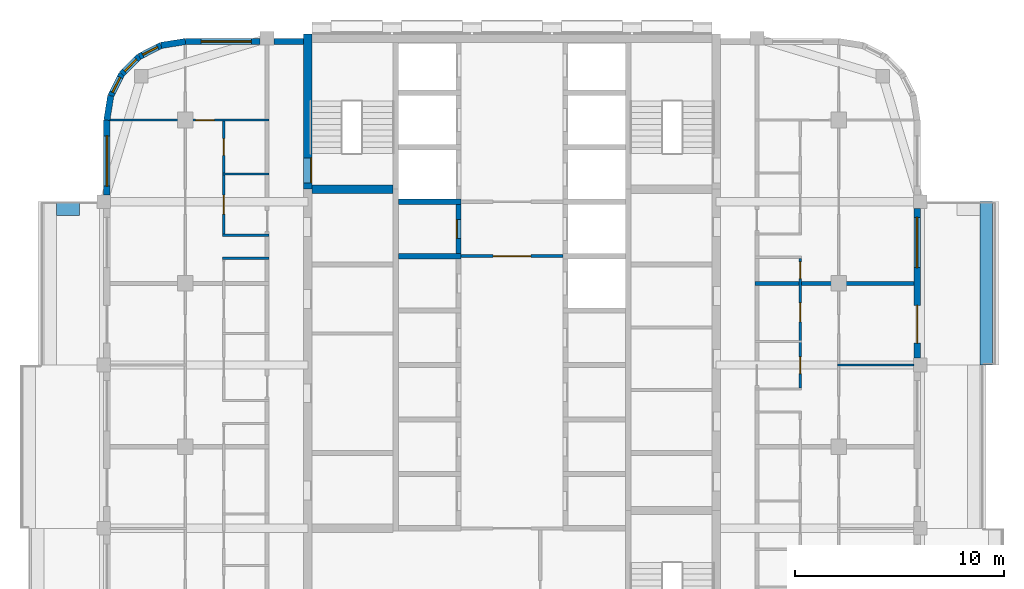
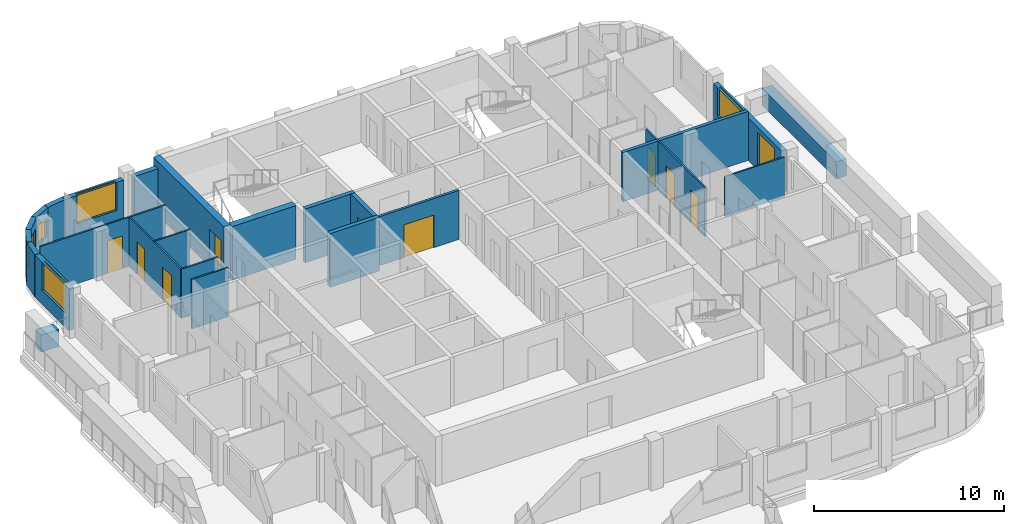
# One storey, part 7 of 13: 25 walls, 10 doors, 6 windows, 16 openings.
"""IFC4 building model written with IfcOpenShell, lengths in metres."""

import ifcopenshell
import ifcopenshell.guid

model = None  # the IFC model being written
_history = None  # IfcOwnerHistory: only IFC2X3 demands one
_inside = {}  # id of a spatial element -> (the spatial element, [elements in it])
_under = {}  # id of a project, library or spatial element -> (it, [spatial elements below it])
_declared = {}  # id of a project -> (the project, [libraries it declares])
_typed = {}  # id of a type object -> (the type object, [elements of that type])
_made_of = {}  # id of a material, layer set ... -> (it, [elements and type objects made of it])


def new_model(schema):
    """Start an empty IFC model of exactly this schema.

    Asked for "IFC4X3", IfcOpenShell would pick the latest addendum, in which some entities
    have other attributes; the version numbers below select the first issue.
    IFC2X3 requires an IfcOwnerHistory on every rooted entity: one is made here for all.
    """
    global model, _history
    if schema == "IFC4X3":
        model = ifcopenshell.file(schema_version=(4, 3, 0, 0))
    else:
        model = ifcopenshell.file(schema=schema)
    _inside.clear()
    _under.clear()
    _declared.clear()
    _typed.clear()
    _made_of.clear()
    _history = None
    if model.schema == "IFC2X3":
        org = make("IfcOrganization", Name="unknown")
        user = make(
            "IfcPersonAndOrganization",
            ThePerson=make("IfcPerson", FamilyName="unknown"),
            TheOrganization=org,
        )
        app = make(
            "IfcApplication",
            ApplicationDeveloper=org,
            Version="unknown",
            ApplicationFullName="unknown",
            ApplicationIdentifier="unknown",
        )
        _history = make(
            "IfcOwnerHistory",
            OwningUser=user,
            OwningApplication=app,
            ChangeAction="ADDED",
            CreationDate=0,
        )
    return model


def make(cls, **values):
    """One entity of the class cls with the attributes given. An attribute that is None is left unset."""
    return model.create_entity(
        cls, **{name: value for name, value in values.items() if value is not None}
    )


def rooted(cls, **values):
    """An entity with a GlobalId (a new one), such as an element, a storey or a relation."""
    return make(cls, GlobalId=ifcopenshell.guid.new(), OwnerHistory=_history, **values)


def si_unit(unit_type, name, prefix=None):
    """IfcSIUnit, for example si_unit("LENGTHUNIT", "METRE", prefix="MILLI")."""
    return make("IfcSIUnit", UnitType=unit_type, Prefix=prefix, Name=name)


def assignment(units):
    """IfcUnitAssignment: the units of a project."""
    return None if units is None else make("IfcUnitAssignment", Units=units)


def point(xyz):
    """IfcCartesianPoint."""
    return None if xyz is None else make("IfcCartesianPoint", Coordinates=xyz)


def direction(xyz):
    """IfcDirection."""
    return None if xyz is None else make("IfcDirection", DirectionRatios=xyz)


def frame(location, z_axis=None, x_axis=None):
    """IfcAxis2Placement3D, a coordinate frame: its origin and axes. An axis left out is left unset."""
    return make(
        "IfcAxis2Placement3D",
        Location=point(location),
        Axis=direction(z_axis),
        RefDirection=direction(x_axis),
    )


def frame_2d(location, x_axis=None):
    """IfcAxis2Placement2D, a coordinate frame in the plane: its origin and x axis."""
    return make(
        "IfcAxis2Placement2D", Location=point(location), RefDirection=direction(x_axis)
    )


def origin():
    """The frame at (0, 0, 0) with its axes left unset."""
    return frame((0.0, 0.0, 0.0))


def place(relative_to, where):
    """IfcLocalPlacement: puts the frame where relative to a parent placement (None: the world)."""
    return make(
        "IfcLocalPlacement", PlacementRelTo=relative_to, RelativePlacement=where
    )


def context(
    kind, dimensions, precision=None, world=None, true_north=None, identifier=None
):
    """IfcGeometricRepresentationContext, for example the 3D "Model" context."""
    return make(
        "IfcGeometricRepresentationContext",
        ContextIdentifier=identifier,
        ContextType=kind,
        CoordinateSpaceDimension=dimensions,
        Precision=precision,
        WorldCoordinateSystem=world,
        TrueNorth=true_north,
    )


def subcontext(parent, identifier, kind, view, scale=None):
    """IfcGeometricRepresentationSubContext, for example "Body" below "Model"."""
    return make(
        "IfcGeometricRepresentationSubContext",
        ContextIdentifier=identifier,
        ContextType=kind,
        ParentContext=parent,
        TargetScale=scale,
        TargetView=view,
    )


def project(units=None, contexts=None):
    """IfcProject with its units and contexts."""
    return rooted(
        "IfcProject",
        Name="project",
        RepresentationContexts=contexts,
        UnitsInContext=assignment(units),
    )


def spatial(cls, under=None, at=None, **own):
    """A site, building, storey or space (cls), placed at a placement, below another one or the project."""
    s = rooted(cls, ObjectPlacement=at, **own)
    if under is not None:
        _under.setdefault(under.id(), (under, []))[1].append(s)
    return s


def profile(cls, at=None, kind="AREA", **sizes):
    """A parametric profile (cls). Its sizes go by their IFC names, for example OverallWidth=200.0."""
    return make(cls, ProfileType=kind, Position=at, **sizes)


def rectangle(**sizes):
    """IfcRectangleProfileDef."""
    return profile("IfcRectangleProfileDef", **sizes)


def extrude(swept, where, along, depth):
    """IfcExtrudedAreaSolid: the profile swept, set in the frame where, extruded along a direction by depth."""
    return make(
        "IfcExtrudedAreaSolid",
        SweptArea=swept,
        Position=where,
        ExtrudedDirection=direction(along),
        Depth=depth,
    )


def shape(context_of_items, identifier, shape_type, items):
    """IfcShapeRepresentation: the items that make up one representation, for example the "Body"."""
    return make(
        "IfcShapeRepresentation",
        ContextOfItems=context_of_items,
        RepresentationIdentifier=identifier,
        RepresentationType=shape_type,
        Items=items,
    )


def material(Name=None, Category=None):
    """IfcMaterial."""
    return make("IfcMaterial", Name=Name, Category=Category)


def layer(
    of_material, thickness, ventilated=None, Name=None, Category=None, Priority=None
):
    """IfcMaterialLayer: one layer of a wall or slab, of a material (None: an air gap)."""
    return make(
        "IfcMaterialLayer",
        Material=of_material,
        LayerThickness=thickness,
        IsVentilated=ventilated,
        Name=Name,
        Category=Category,
        Priority=Priority,
    )


def layer_set(layers, Name=None):
    """IfcMaterialLayerSet."""
    return make("IfcMaterialLayerSet", MaterialLayers=layers, LayerSetName=Name)


def made_of(thing, what):
    """Note that an element or type object is made of a material, layer set ...; save() writes the relation."""
    if what is not None:
        _made_of.setdefault(what.id(), (what, []))[1].append(thing)
    return thing


def type_object(cls, material=None, **own):
    """A type object (cls), such as IfcWallType, which elements share."""
    return made_of(rooted(cls, **own), material)


def element(
    cls,
    number,
    at=None,
    inside=None,
    cuts=None,
    type_object=None,
    material=None,
    context=None,
    identifier="Body",
    shape_type=None,
    held_by="IfcProductDefinitionShape",
    body=None,
    shapes=None,
    **own,
):
    """One element of the class cls, such as IfcWall. Its Tag is "e" and its number.

    at: its placement. inside: the storey or other place that contains it. cuts: it is an
    opening in that element (IfcRelVoidsElement). A single representation is given by context,
    identifier, shape_type and body (its items); several are given by shapes. held_by: the class
    of the entity that holds the representations. save() writes the other relations.
    """
    e = rooted(cls, Tag="e%d" % number, ObjectPlacement=at, **own)
    if body is not None:
        shapes = [shape(context, identifier, shape_type, body)]
    if shapes is not None:
        e.Representation = make(held_by, Representations=shapes)
    if inside is not None:
        _inside.setdefault(inside.id(), (inside, []))[1].append(e)
    if cuts is not None:
        rooted(
            "IfcRelVoidsElement", RelatingBuildingElement=cuts, RelatedOpeningElement=e
        )
    if type_object is not None:
        _typed.setdefault(type_object.id(), (type_object, []))[1].append(e)
    return made_of(e, material)


def fill(opening, filler):
    """IfcRelFillsElement: the door or window that sits in an opening."""
    return rooted(
        "IfcRelFillsElement",
        RelatingOpeningElement=opening,
        RelatedBuildingElement=filler,
    )


def aggregate(whole, parts):
    """IfcRelAggregates: a whole, such as a stair, and the parts it consists of."""
    return rooted("IfcRelAggregates", RelatingObject=whole, RelatedObjects=parts)


def save(model, path):
    """Write the relations noted so far, then the file.

    IfcRelAggregates (storeys below a building ...), IfcRelContainedInSpatialStructure (elements
    in a storey), IfcRelDefinesByType, IfcRelAssociatesMaterial and IfcRelDeclares: one each for
    every whole, place, type object, material and project.
    """
    for whole, parts in _under.values():
        aggregate(whole, parts)
    for where, things in _inside.values():
        rooted(
            "IfcRelContainedInSpatialStructure",
            RelatedElements=things,
            RelatingStructure=where,
        )
    for kind, things in _typed.values():
        rooted("IfcRelDefinesByType", RelatedObjects=things, RelatingType=kind)
    for what, things in _made_of.values():
        rooted("IfcRelAssociatesMaterial", RelatedObjects=things, RelatingMaterial=what)
    for by, libraries in _declared.values():
        rooted("IfcRelDeclares", RelatingContext=by, RelatedDefinitions=libraries)
    model.write(path)


model = new_model("IFC4")

# Units and contexts
model_context = context("Model", 3, precision=1e-05, world=origin(), true_north=direction((0.0, 1.0)))
body_context = subcontext(model_context, "Body", "Model", "MODEL_VIEW")
ifc_project = project(units=[si_unit("LENGTHUNIT", "METRE"), si_unit("AREAUNIT", "SQUARE_METRE"), si_unit("VOLUMEUNIT", "CUBIC_METRE"), si_unit("PLANEANGLEUNIT", "RADIAN"), si_unit("MASSUNIT", "GRAM", prefix="KILO")], contexts=[model_context])

# Site, building, storey
site_placement = place(None, origin())
site = spatial("IfcSite", under=ifc_project, at=site_placement, CompositionType="ELEMENT")
building_placement = place(site_placement, origin())
building = spatial("IfcBuilding", under=site, at=building_placement, Name="Ludao Terraces", CompositionType="ELEMENT")
storey_placement = place(building_placement, frame((0.0, 0.0, 246.0)))
storey = spatial("IfcBuildingStorey", under=building, at=storey_placement, Name="L67", CompositionType="ELEMENT", Elevation=246.0)

# Wall, opening, door
ifc_material_1 = material(Name="Concrete C50", Category="concrete")
ifc_layer_1 = layer(ifc_material_1, 0.39990234375)
ifc_layer_set_1 = layer_set([ifc_layer_1], Name="Core wall 400 C50")
wall_type_1 = type_object("IfcWallType", Name="Core wall 400 C50", PredefinedType="SOLIDWALL", material=ifc_layer_set_1)
wall_1_placement = place(storey_placement, frame((75.25, 77.300048828125, -0.300048828125), z_axis=(0.0, 0.0, 1.0), x_axis=(0.0, 1.0, 0.0)))
wall_1 = element("IfcWall", 1, at=wall_1_placement, inside=storey, type_object=wall_type_1, Name="Core wall L67 outer-W-S1", PredefinedType="SOLIDWALL", context=body_context, shape_type="SweptSolid", body=[
    extrude(rectangle(XDim=7.39990234375, YDim=0.39990234375, at=frame_2d((3.699951171875, 0.0))), origin(), (0.0, 0.0, 1.0), 3.449951171875),
])
opening_1_placement = place(wall_1_placement, frame((0.300048828125, 0.0, 0.300048828125)))
opening_1 = element("IfcOpeningElement", 2, at=opening_1_placement, cuts=wall_1, Name="Opening R24-077", PredefinedType="OPENING", context=body_context, shape_type="SweptSolid", body=[
    extrude(rectangle(XDim=1.199951171875, YDim=2.10009765625, at=frame_2d((0.60009765625, 1.050048828125))), frame((0.0, 0.2099609375, 0.0), z_axis=(0.0, -1.0, 0.0), x_axis=(1.0, 0.0, 0.0)), (0.0, 0.0, 1.0), 0.419921875),
])
ifc_material_2 = material(Name="Steel Q235", Category="steel")
door_type_1 = type_object("IfcDoorType", Name="INT Stair door 1200", OperationType="DOUBLE_DOOR_SINGLE_SWING", PredefinedType="DOOR", material=ifc_material_2)
door_1_placement = place(opening_1_placement, origin())
door_1 = element("IfcDoor", 3, at=door_1_placement, inside=storey, type_object=door_type_1, Name="DOOR 077", OperationType="DOUBLE_DOOR_SINGLE_SWING", OverallHeight=2.10009765625, OverallWidth=1.199951171875, PredefinedType="DOOR", context=body_context, shape_type="SweptSolid", body=[
    extrude(rectangle(XDim=1.199951171875, YDim=2.10009765625, at=frame_2d((0.60009765625, 1.050048828125))), frame((0.0, -0.134765625, 0.0), z_axis=(0.0, -1.0, 0.0), x_axis=(1.0, 0.0, 0.0)), (0.0, 0.0, 1.0), 0.050048828125),
])
fill(opening_1, door_1)

# Walls
ifc_material_3 = material(Name="Concrete C40", Category="concrete")
ifc_layer_2 = layer(ifc_material_3, 0.60009765625)
ifc_layer_set_2 = layer_set([ifc_layer_2], Name="ENV Planter trough 600")
wall_type_2 = type_object("IfcWallType", Name="ENV Planter trough 600", PredefinedType="USERDEFINED", material=ifc_layer_set_2)
wall_2_placement = place(storey_placement, frame((107.64990234375, 68.89990234375, 0.0), z_axis=(0.0, 0.0, 1.0), x_axis=(0.0, 1.0, 0.0)))
element("IfcWall", 4, at=wall_2_placement, inside=storey, type_object=wall_type_2, Name="PL-L67-E3", ObjectType="PLANTER", PredefinedType="USERDEFINED", context=body_context, shape_type="SweptSolid", body=[
    extrude(rectangle(XDim=7.800048828125, YDim=0.60009765625, at=frame_2d((3.89990234375, 0.0))), origin(), (0.0, 0.0, 1.0), 1.10009765625),
])
wall_3_placement = place(storey_placement, frame((63.25, 76.35009765625, 0.0), z_axis=(0.0, 0.0, 1.0), x_axis=(1.0, 0.0, 0.0)))
element("IfcWall", 5, at=wall_3_placement, inside=storey, type_object=wall_type_2, Name="PL-L67-W3-SB", ObjectType="PLANTER", PredefinedType="USERDEFINED", context=body_context, shape_type="SweptSolid", body=[
    extrude(rectangle(XDim=1.10009765625, YDim=0.60009765625, at=frame_2d((0.550048828125, 0.0))), origin(), (0.0, 0.0, 1.0), 1.10009765625),
])

# Wall, openings, door, window
ifc_material_4 = material(Name="Granite cladding", Category="masonry")
ifc_layer_3 = layer(ifc_material_4, 0.0400390625, Category="stone")
ifc_material_5 = material(Name="Mineral wool")
ifc_layer_4 = layer(ifc_material_5, 0.06005859375)
ifc_layer_5 = layer(ifc_material_3, 0.199951171875, Category="concrete")
ifc_layer_set_3 = layer_set([ifc_layer_3, ifc_layer_4, ifc_layer_5], Name="ENV Stone-clad wall 300")
wall_type_3 = type_object("IfcWallType", Name="ENV Stone-clad wall 300", PredefinedType="SOLIDWALL", material=ifc_layer_set_3)
wall_4_placement = place(storey_placement, frame((104.35009765625, 69.22509765625, 0.0), z_axis=(0.0, 0.0, 1.0), x_axis=(0.0, 1.0, 0.0)))
wall_4 = element("IfcWall", 6, at=wall_4_placement, inside=storey, type_object=wall_type_3, Name="EW-L67-E4", PredefinedType="SOLIDWALL", context=body_context, shape_type="SweptSolid", body=[
    extrude(rectangle(XDim=7.14990234375, YDim=0.300048828125, at=frame_2d((3.574951171875, 0.0))), origin(), (0.0, 0.0, 1.0), 2.699951171875),
])
opening_2_placement = place(wall_4_placement, frame((0.72509765625, 0.0, 0.0)))
opening_2 = element("IfcOpeningElement", 7, at=opening_2_placement, cuts=wall_4, Name="Opening BD", PredefinedType="OPENING", context=body_context, shape_type="SweptSolid", body=[
    extrude(rectangle(XDim=1.800048828125, YDim=2.39990234375, at=frame_2d((0.89990234375, 1.199951171875))), frame((0.0, 0.16015625, 0.0), z_axis=(0.0, -1.0, 0.0), x_axis=(1.0, 0.0, 0.0)), (0.0, 0.0, 1.0), 0.320068359375),
])
opening_3_placement = place(wall_4_placement, frame((4.324951171875, 0.0, 0.89990234375)))
opening_3 = element("IfcOpeningElement", 8, at=opening_3_placement, cuts=wall_4, Name="Opening W1", PredefinedType="OPENING", context=body_context, shape_type="SweptSolid", body=[
    extrude(rectangle(XDim=2.39990234375, YDim=1.800048828125, at=frame_2d((1.199951171875, 0.89990234375))), frame((0.0, 0.16015625, 0.0), z_axis=(0.0, -1.0, 0.0), x_axis=(1.0, 0.0, 0.0)), (0.0, 0.0, 1.0), 0.320068359375),
])
ifc_material_6 = material(Name="Aluminium glazed door", Category="aluminium")
ifc_layer_6 = layer(ifc_material_6, 0.06005859375)
ifc_layer_set_4 = layer_set([ifc_layer_6], Name="ENV Balcony door BD 1800x2400")
door_type_2 = type_object("IfcDoorType", Name="ENV Balcony door BD 1800x2400", OperationType="DOUBLE_DOOR_SINGLE_SWING", PredefinedType="DOOR", material=ifc_layer_set_4)
door_2_placement = place(opening_2_placement, origin())
door_2 = element("IfcDoor", 9, at=door_2_placement, inside=storey, type_object=door_type_2, Name="BD-L67-E4-1", OperationType="DOUBLE_DOOR_SINGLE_SWING", OverallHeight=2.39990234375, OverallWidth=1.800048828125, PredefinedType="DOOR", context=body_context, shape_type="SweptSolid", body=[
    extrude(rectangle(XDim=1.800048828125, YDim=2.39990234375, at=frame_2d((0.89990234375, 1.199951171875))), frame((0.0, 0.02490234375, 0.0), z_axis=(0.0, -1.0, 0.0), x_axis=(1.0, 0.0, 0.0)), (0.0, 0.0, 1.0), 0.050048828125),
])
fill(opening_2, door_2)
ifc_material_7 = material(Name="Clear glass in aluminium frame", Category="aluminium")
ifc_layer_7 = layer(ifc_material_7, 0.06005859375)
ifc_layer_set_5 = layer_set([ifc_layer_7], Name="ENV Window W1 2400x1800")
window_type_1 = type_object("IfcWindowType", Name="ENV Window W1 2400x1800", PartitioningType="DOUBLE_PANEL_VERTICAL", PredefinedType="WINDOW", material=ifc_layer_set_5)
window_1_placement = place(opening_3_placement, origin())
window_1 = element("IfcWindow", 10, at=window_1_placement, inside=storey, type_object=window_type_1, Name="W-L67-E4-2", OverallHeight=1.800048828125, OverallWidth=2.39990234375, PartitioningType="DOUBLE_PANEL_VERTICAL", PredefinedType="WINDOW", context=body_context, shape_type="SweptSolid", body=[
    extrude(rectangle(XDim=2.39990234375, YDim=1.800048828125, at=frame_2d((1.199951171875, 0.89990234375))), frame((0.0, 0.030029296875, 0.0), z_axis=(0.0, -1.0, 0.0), x_axis=(1.0, 0.0, 0.0)), (0.0, 0.0, 1.0), 0.06005859375),
])
fill(opening_3, window_1)

# Wall, opening, window
wall_5_placement = place(storey_placement, frame((69.39990234375, 84.35009765625, 0.0), z_axis=(0.0, 0.0, 1.0), x_axis=(1.0, 0.0, 0.0)))
wall_5 = element("IfcWall", 11, at=wall_5_placement, inside=storey, type_object=wall_type_3, Name="EW-L67-N1", PredefinedType="SOLIDWALL", context=body_context, shape_type="SweptSolid", body=[
    extrude(rectangle(XDim=3.5751953125, YDim=0.300048828125, at=frame_2d((1.78759765625, 0.0))), origin(), (0.0, 0.0, 1.0), 2.699951171875),
])
opening_4_placement = place(wall_5_placement, frame((0.75, 0.0, 0.89990234375)))
opening_4 = element("IfcOpeningElement", 12, at=opening_4_placement, cuts=wall_5, Name="Opening W1", PredefinedType="OPENING", context=body_context, shape_type="SweptSolid", body=[
    extrude(rectangle(XDim=2.39990234375, YDim=1.800048828125, at=frame_2d((1.199951171875, 0.89990234375))), frame((0.0, 0.16015625, 0.0), z_axis=(0.0, -1.0, 0.0), x_axis=(1.0, 0.0, 0.0)), (0.0, 0.0, 1.0), 0.320068359375),
])
window_2_placement = place(opening_4_placement, origin())
window_2 = element("IfcWindow", 13, at=window_2_placement, inside=storey, type_object=window_type_1, Name="W-L67-N1-1", OverallHeight=1.800048828125, OverallWidth=2.39990234375, PartitioningType="DOUBLE_PANEL_VERTICAL", PredefinedType="WINDOW", context=body_context, shape_type="SweptSolid", body=[
    extrude(rectangle(XDim=2.39990234375, YDim=1.800048828125, at=frame_2d((1.199951171875, 0.89990234375))), frame((0.0, 0.030029296875, 0.0), z_axis=(0.0, -1.0, 0.0), x_axis=(1.0, 0.0, 0.0)), (0.0, 0.0, 1.0), 0.06005859375),
])
fill(opening_4, window_2)

# Wall
wall_6_placement = place(storey_placement, frame((73.625, 84.35009765625, 0.0), z_axis=(0.0, 0.0, 1.0), x_axis=(1.0, 0.0, 0.0)))
element("IfcWall", 14, at=wall_6_placement, inside=storey, type_object=wall_type_3, Name="EW-L67-N2", PredefinedType="SOLIDWALL", context=body_context, shape_type="SweptSolid", body=[
    extrude(rectangle(XDim=1.425048828125, YDim=0.300048828125, at=frame_2d((0.71240234375, 0.0))), origin(), (0.0, 0.0, 1.0), 2.699951171875),
])

# Wall, opening, window
wall_7_placement = place(storey_placement, frame((65.64990234375, 77.02490234375, 0.0), z_axis=(0.0, 0.0, 1.0), x_axis=(0.0, 1.0, 0.0)))
wall_7 = element("IfcWall", 15, at=wall_7_placement, inside=storey, type_object=wall_type_3, Name="EW-L67-W5", PredefinedType="SOLIDWALL", context=body_context, shape_type="SweptSolid", body=[
    extrude(rectangle(XDim=3.5751953125, YDim=0.300048828125, at=frame_2d((1.78759765625, 0.0))), origin(), (0.0, 0.0, 1.0), 2.699951171875),
])
opening_5_placement = place(wall_7_placement, frame((0.425048828125, 0.0, 0.89990234375)))
opening_5 = element("IfcOpeningElement", 16, at=opening_5_placement, cuts=wall_7, Name="Opening W1", PredefinedType="OPENING", context=body_context, shape_type="SweptSolid", body=[
    extrude(rectangle(XDim=2.39990234375, YDim=1.800048828125, at=frame_2d((1.199951171875, 0.89990234375))), frame((0.0, 0.16015625, 0.0), z_axis=(0.0, -1.0, 0.0), x_axis=(1.0, 0.0, 0.0)), (0.0, 0.0, 1.0), 0.320068359375),
])
window_3_placement = place(opening_5_placement, origin())
window_3 = element("IfcWindow", 17, at=window_3_placement, inside=storey, type_object=window_type_1, Name="W-L67-W5-1", OverallHeight=1.800048828125, OverallWidth=2.39990234375, PartitioningType="DOUBLE_PANEL_VERTICAL", PredefinedType="WINDOW", context=body_context, shape_type="SweptSolid", body=[
    extrude(rectangle(XDim=2.39990234375, YDim=1.800048828125, at=frame_2d((1.199951171875, 0.89990234375))), frame((0.0, 0.030029296875, 0.0), z_axis=(0.0, -1.0, 0.0), x_axis=(1.0, 0.0, 0.0)), (0.0, 0.0, 1.0), 0.06005859375),
])
fill(opening_5, window_3)

# Wall
wall_8_placement = place(storey_placement, frame((69.39990234375, 84.35009765625, 0.0), z_axis=(0.0, 0.0, 1.0), x_axis=(-0.987678452879, -0.156496880861, 0.0)))
element("IfcWall", 18, at=wall_8_placement, inside=storey, type_object=wall_type_3, Name="EW-L67-NW1", PredefinedType="SOLIDWALL", context=body_context, shape_type="SweptSolid", body=[
    extrude(rectangle(XDim=1.173095703125, YDim=0.300048828125, at=frame_2d((0.58642578125, 0.0))), origin(), (0.0, 0.0, 1.0), 2.699951171875),
])

# Wall, opening, window
wall_9_placement = place(storey_placement, frame((68.2412109375, 84.16650390625, 0.0), z_axis=(0.0, 0.0, 1.0), x_axis=(-0.890988677504, -0.454025524128, 0.0)))
wall_9 = element("IfcWall", 19, at=wall_9_placement, inside=storey, type_object=wall_type_3, Name="EW-L67-NW2", PredefinedType="SOLIDWALL", context=body_context, shape_type="SweptSolid", body=[
    extrude(rectangle(XDim=1.17333984375, YDim=0.300048828125, at=frame_2d((0.586669921875, 0.0))), origin(), (0.0, 0.0, 1.0), 2.699951171875),
])
opening_6_placement = place(wall_9_placement, frame((0.1865234375, 0.0, 0.89990234375)))
opening_6 = element("IfcOpeningElement", 20, at=opening_6_placement, cuts=wall_9, Name="Opening W3", PredefinedType="OPENING", context=body_context, shape_type="SweptSolid", body=[
    extrude(rectangle(XDim=0.800048828125, YDim=1.199951171875, at=frame_2d((0.39990234375, 0.60009765625))), frame((0.0, 0.16015625, 0.0), z_axis=(0.0, -1.0, 0.0), x_axis=(1.0, 0.0, 0.0)), (0.0, 0.0, 1.0), 0.320068359375),
])
ifc_layer_8 = layer(ifc_material_7, 0.06005859375)
ifc_layer_set_6 = layer_set([ifc_layer_8], Name="ENV Window W3 800x1200")
window_type_2 = type_object("IfcWindowType", Name="ENV Window W3 800x1200", PartitioningType="SINGLE_PANEL", PredefinedType="WINDOW", material=ifc_layer_set_6)
window_4_placement = place(opening_6_placement, origin())
window_4 = element("IfcWindow", 21, at=window_4_placement, inside=storey, type_object=window_type_2, Name="W-L67-NW2", OverallHeight=1.199951171875, OverallWidth=0.800048828125, PartitioningType="SINGLE_PANEL", PredefinedType="WINDOW", context=body_context, shape_type="SweptSolid", body=[
    extrude(rectangle(XDim=0.800048828125, YDim=1.199951171875, at=frame_2d((0.39990234375, 0.60009765625))), frame((0.0, 0.030029296875, 0.0), z_axis=(0.0, -1.0, 0.0), x_axis=(1.0, 0.0, 0.0)), (0.0, 0.0, 1.0), 0.06005859375),
])
fill(opening_6, window_4)

wall_10_placement = place(storey_placement, frame((67.19580078125, 83.6337890625, 0.0), z_axis=(0.0, 0.0, 1.0), x_axis=(-0.707106781187, -0.707106781187, 0.0)))
wall_10 = element("IfcWall", 22, at=wall_10_placement, inside=storey, type_object=wall_type_3, Name="EW-L67-NW3", PredefinedType="SOLIDWALL", context=body_context, shape_type="SweptSolid", body=[
    extrude(rectangle(XDim=1.173095703125, YDim=0.300048828125, at=frame_2d((0.58642578125, 0.0))), origin(), (0.0, 0.0, 1.0), 2.699951171875),
])
opening_7_placement = place(wall_10_placement, frame((0.1865234375, 0.0, 0.89990234375)))
opening_7 = element("IfcOpeningElement", 23, at=opening_7_placement, cuts=wall_10, Name="Opening W3", PredefinedType="OPENING", context=body_context, shape_type="SweptSolid", body=[
    extrude(rectangle(XDim=0.800048828125, YDim=1.199951171875, at=frame_2d((0.39990234375, 0.60009765625))), frame((0.0, 0.16015625, 0.0), z_axis=(0.0, -1.0, 0.0), x_axis=(1.0, 0.0, 0.0)), (0.0, 0.0, 1.0), 0.320068359375),
])
window_5_placement = place(opening_7_placement, origin())
window_5 = element("IfcWindow", 24, at=window_5_placement, inside=storey, type_object=window_type_2, Name="W-L67-NW3", OverallHeight=1.199951171875, OverallWidth=0.800048828125, PartitioningType="SINGLE_PANEL", PredefinedType="WINDOW", context=body_context, shape_type="SweptSolid", body=[
    extrude(rectangle(XDim=0.800048828125, YDim=1.199951171875, at=frame_2d((0.39990234375, 0.60009765625))), frame((0.0, 0.030029296875, 0.0), z_axis=(0.0, -1.0, 0.0), x_axis=(1.0, 0.0, 0.0)), (0.0, 0.0, 1.0), 0.06005859375),
])
fill(opening_7, window_5)

wall_11_placement = place(storey_placement, frame((66.3662109375, 82.80419921875, 0.0), z_axis=(0.0, 0.0, 1.0), x_axis=(-0.454025524128, -0.890988677504, 0.0)))
wall_11 = element("IfcWall", 25, at=wall_11_placement, inside=storey, type_object=wall_type_3, Name="EW-L67-NW4", PredefinedType="SOLIDWALL", context=body_context, shape_type="SweptSolid", body=[
    extrude(rectangle(XDim=1.17333984375, YDim=0.300048828125, at=frame_2d((0.586669921875, 0.0))), origin(), (0.0, 0.0, 1.0), 2.699951171875),
])
opening_8_placement = place(wall_11_placement, frame((0.1865234375, 0.0, 0.89990234375)))
opening_8 = element("IfcOpeningElement", 26, at=opening_8_placement, cuts=wall_11, Name="Opening W3", PredefinedType="OPENING", context=body_context, shape_type="SweptSolid", body=[
    extrude(rectangle(XDim=0.800048828125, YDim=1.199951171875, at=frame_2d((0.39990234375, 0.60009765625))), frame((0.0, 0.16015625, 0.0), z_axis=(0.0, -1.0, 0.0), x_axis=(1.0, 0.0, 0.0)), (0.0, 0.0, 1.0), 0.320068359375),
])
window_6_placement = place(opening_8_placement, origin())
window_6 = element("IfcWindow", 27, at=window_6_placement, inside=storey, type_object=window_type_2, Name="W-L67-NW4", OverallHeight=1.199951171875, OverallWidth=0.800048828125, PartitioningType="SINGLE_PANEL", PredefinedType="WINDOW", context=body_context, shape_type="SweptSolid", body=[
    extrude(rectangle(XDim=0.800048828125, YDim=1.199951171875, at=frame_2d((0.39990234375, 0.60009765625))), frame((0.0, 0.030029296875, 0.0), z_axis=(0.0, -1.0, 0.0), x_axis=(1.0, 0.0, 0.0)), (0.0, 0.0, 1.0), 0.06005859375),
])
fill(opening_8, window_6)

# Wall
wall_12_placement = place(storey_placement, frame((65.83349609375, 81.7587890625, 0.0), z_axis=(0.0, 0.0, 1.0), x_axis=(-0.156496880861, -0.987678452879, 0.0)))
element("IfcWall", 28, at=wall_12_placement, inside=storey, type_object=wall_type_3, Name="EW-L67-NW5", PredefinedType="SOLIDWALL", context=body_context, shape_type="SweptSolid", body=[
    extrude(rectangle(XDim=1.173095703125, YDim=0.300048828125, at=frame_2d((0.58642578125, 0.0))), origin(), (0.0, 0.0, 1.0), 2.699951171875),
])

# Wall, opening, door
ifc_material_8 = material(Name="Fire-rated gypsum plasterboard", Category="gypsum")
ifc_layer_9 = layer(ifc_material_8, 0.012451171875, Category="gypsum")
ifc_layer_10 = layer(ifc_material_5, 0.10009765625, Name="insulation")
ifc_layer_11 = layer(ifc_material_2, 0.02490234375, Name="stud")
ifc_layer_12 = layer(ifc_material_8, 0.012451171875, Category="gypsum")
ifc_layer_set_7 = layer_set([ifc_layer_9, ifc_layer_10, ifc_layer_11, ifc_layer_12], Name="INT Core partition 150")
wall_type_4 = type_object("IfcWallType", Name="INT Core partition 150", PredefinedType="PARTITIONING", material=ifc_layer_set_7)
wall_13_placement = place(storey_placement, frame((82.5751953125, 74.10009765625, 0.0), z_axis=(0.0, 0.0, 1.0), x_axis=(1.0, 0.0, 0.0)))
wall_13 = element("IfcWall", 29, at=wall_13_placement, inside=storey, type_object=wall_type_4, Name="PW-L67-PW038", PredefinedType="PARTITIONING", context=body_context, shape_type="SweptSolid", body=[
    extrude(rectangle(XDim=4.849853515625, YDim=0.14990234375, at=frame_2d((2.4248046875, 0.0))), origin(), (0.0, 0.0, 1.0), 3.14990234375),
])
opening_9_placement = place(wall_13_placement, frame((1.52490234375, 0.0, 0.0)))
opening_9 = element("IfcOpeningElement", 30, at=opening_9_placement, cuts=wall_13, Name="Opening R24-063", PredefinedType="OPENING", context=body_context, shape_type="SweptSolid", body=[
    extrude(rectangle(XDim=1.800048828125, YDim=2.10009765625, at=frame_2d((0.89990234375, 1.050048828125))), frame((0.0, 0.0849609375, 0.0), z_axis=(0.0, -1.0, 0.0), x_axis=(1.0, 0.0, 0.0)), (0.0, 0.0, 1.0), 0.169921875),
])
door_type_3 = type_object("IfcDoorType", Name="INT Fire lobby door 1800", OperationType="DOUBLE_DOOR_SINGLE_SWING", PredefinedType="DOOR", material=ifc_material_2)
door_3_placement = place(opening_9_placement, origin())
door_3 = element("IfcDoor", 31, at=door_3_placement, inside=storey, type_object=door_type_3, Name="DOOR 063", OperationType="DOUBLE_DOOR_SINGLE_SWING", OverallHeight=2.10009765625, OverallWidth=1.800048828125, PredefinedType="DOOR", context=body_context, shape_type="SweptSolid", body=[
    extrude(rectangle(XDim=1.800048828125, YDim=2.10009765625, at=frame_2d((0.89990234375, 1.050048828125))), frame((0.0, 0.02490234375, 0.0), z_axis=(0.0, -1.0, 0.0), x_axis=(1.0, 0.0, 0.0)), (0.0, 0.0, 1.0), 0.050048828125),
])
fill(opening_9, door_3)

# Walls
ifc_material_9 = material(Name="Gypsum plasterboard", Category="gypsum")
ifc_layer_13 = layer(ifc_material_9, 0.012451171875, Category="gypsum")
ifc_layer_14 = layer(ifc_material_5, 0.06005859375, Name="insulation")
ifc_layer_15 = layer(ifc_material_2, 0.014892578125, Name="stud")
ifc_layer_16 = layer(ifc_material_9, 0.012451171875, Category="gypsum")
ifc_layer_set_8 = layer_set([ifc_layer_13, ifc_layer_14, ifc_layer_15, ifc_layer_16], Name="INT Partition 100")
wall_type_5 = type_object("IfcWallType", Name="INT Partition 100", PredefinedType="PARTITIONING", material=ifc_layer_set_8)
wall_14_placement = place(storey_placement, frame((100.550048828125, 68.89990234375, 0.0), z_axis=(0.0, 0.0, 1.0), x_axis=(1.0, 0.0, 0.0)))
element("IfcWall", 32, at=wall_14_placement, inside=storey, type_object=wall_type_5, Name="PW-L67-PW029", PredefinedType="PARTITIONING", context=body_context, shape_type="SweptSolid", body=[
    extrude(rectangle(XDim=3.650146484375, YDim=0.10009765625, at=frame_2d((1.8251953125, 0.0))), origin(), (0.0, 0.0, 1.0), 2.550048828125),
])
for number, where, z_axis, x_axis, name in (
    (33, (71.18017578125, 74.0, 0.0), (0.0, 0.0, 1.0), (1.0, 0.0, 0.0), "PW-L67-PW036"),
    (34, (71.18017578125, 75.10009765625, 0.0), (0.0, 0.0, 1.0), (1.0, 0.0, 0.0), "PW-L67-PW039"),
    (35, (71.18017578125, 78.02001953125, 0.0), (0.0, 0.0, 1.0), (1.0, 0.0, 0.0), "PW-L67-PW042"),
):
    element("IfcWall", number, at=place(storey_placement, frame(where, z_axis=z_axis, x_axis=x_axis)), inside=storey, type_object=wall_type_5, Name=name, PredefinedType="PARTITIONING", context=body_context, shape_type="SweptSolid", body=[
        extrude(rectangle(XDim=2.219970703125, YDim=0.10009765625, at=frame_2d((1.10986328125, 0.0))), origin(), (0.0, 0.0, 1.0), 3.14990234375),
    ])

# Wall, opening, door
wall_15_placement = place(storey_placement, frame((65.800048828125, 80.60009765625, 0.0), z_axis=(0.0, 0.0, 1.0), x_axis=(1.0, 0.0, 0.0)))
wall_15 = element("IfcWall", 36, at=wall_15_placement, inside=storey, type_object=wall_type_5, Name="PW-L67-PW044", PredefinedType="PARTITIONING", context=body_context, shape_type="SweptSolid", body=[
    extrude(rectangle(XDim=7.60009765625, YDim=0.10009765625, at=frame_2d((3.800048828125, 0.0))), origin(), (0.0, 0.0, 1.0), 3.14990234375),
])
opening_10_placement = place(wall_15_placement, frame((4.090087890625, 0.0, 0.0)))
opening_10 = element("IfcOpeningElement", 37, at=opening_10_placement, cuts=wall_15, Name="Opening R24-081", PredefinedType="OPENING", context=body_context, shape_type="SweptSolid", body=[
    extrude(rectangle(XDim=0.89990234375, YDim=2.10009765625, at=frame_2d((0.449951171875, 1.050048828125))), frame((0.0, 0.06005859375, 0.0), z_axis=(0.0, -1.0, 0.0), x_axis=(1.0, 0.0, 0.0)), (0.0, 0.0, 1.0), 0.1201171875),
])
ifc_material_10 = material(Name="Timber door leaf", Category="wood")
door_type_4 = type_object("IfcDoorType", Name="INT Room door 900", OperationType="SINGLE_SWING_LEFT", PredefinedType="DOOR", material=ifc_material_10)
door_4_placement = place(opening_10_placement, origin())
door_4 = element("IfcDoor", 38, at=door_4_placement, inside=storey, type_object=door_type_4, Name="DOOR 081", OperationType="SINGLE_SWING_LEFT", OverallHeight=2.10009765625, OverallWidth=0.89990234375, PredefinedType="DOOR", context=body_context, shape_type="SweptSolid", body=[
    extrude(rectangle(XDim=0.89990234375, YDim=2.10009765625, at=frame_2d((0.449951171875, 1.050048828125))), frame((0.0, 0.02490234375, 0.0), z_axis=(0.0, -1.0, 0.0), x_axis=(1.0, 0.0, 0.0)), (0.0, 0.0, 1.0), 0.050048828125),
])
fill(opening_10, door_4)

# Wall, openings, doors
wall_16_placement = place(storey_placement, frame((71.22998046875, 75.150146484375, 0.0), z_axis=(0.0, 0.0, 1.0), x_axis=(0.0, 1.0, 0.0)))
wall_16 = element("IfcWall", 39, at=wall_16_placement, inside=storey, type_object=wall_type_5, Name="PW-L67-PW050", PredefinedType="PARTITIONING", context=body_context, shape_type="SweptSolid", body=[
    extrude(rectangle(XDim=5.39990234375, YDim=0.10009765625, at=frame_2d((2.699951171875, 0.0))), origin(), (0.0, 0.0, 1.0), 3.14990234375),
])
opening_11_placement = place(wall_16_placement, frame((0.9599609375, 0.0, 0.0)))
opening_11 = element("IfcOpeningElement", 40, at=opening_11_placement, cuts=wall_16, Name="Opening R24-070", PredefinedType="OPENING", context=body_context, shape_type="SweptSolid", body=[
    extrude(rectangle(XDim=0.89990234375, YDim=2.10009765625, at=frame_2d((0.449951171875, 1.050048828125))), frame((0.0, 0.06005859375, 0.0), z_axis=(0.0, -1.0, 0.0), x_axis=(1.0, 0.0, 0.0)), (0.0, 0.0, 1.0), 0.1201171875),
])
opening_12_placement = place(wall_16_placement, frame((3.760009765625, 0.0, 0.0)))
opening_12 = element("IfcOpeningElement", 41, at=opening_12_placement, cuts=wall_16, Name="Opening R24-079", PredefinedType="OPENING", context=body_context, shape_type="SweptSolid", body=[
    extrude(rectangle(XDim=0.800048828125, YDim=2.10009765625, at=frame_2d((0.39990234375, 1.050048828125))), frame((0.0, 0.06005859375, 0.0), z_axis=(0.0, -1.0, 0.0), x_axis=(1.0, 0.0, 0.0)), (0.0, 0.0, 1.0), 0.1201171875),
])
door_5_placement = place(opening_11_placement, origin())
door_5 = element("IfcDoor", 42, at=door_5_placement, inside=storey, type_object=door_type_4, Name="DOOR 070", OperationType="SINGLE_SWING_RIGHT", OverallHeight=2.10009765625, OverallWidth=0.89990234375, PredefinedType="DOOR", context=body_context, shape_type="SweptSolid", body=[
    extrude(rectangle(XDim=0.89990234375, YDim=2.10009765625, at=frame_2d((0.449951171875, 1.050048828125))), frame((0.0, 0.02490234375, 0.0), z_axis=(0.0, -1.0, 0.0), x_axis=(1.0, 0.0, 0.0)), (0.0, 0.0, 1.0), 0.050048828125),
])
fill(opening_11, door_5)
door_type_5 = type_object("IfcDoorType", Name="INT Store door 800", OperationType="SINGLE_SWING_LEFT", PredefinedType="DOOR", material=ifc_material_10)
door_6_placement = place(opening_12_placement, origin())
door_6 = element("IfcDoor", 43, at=door_6_placement, inside=storey, type_object=door_type_5, Name="DOOR 079", OperationType="SINGLE_SWING_RIGHT", OverallHeight=2.10009765625, OverallWidth=0.800048828125, PredefinedType="DOOR", context=body_context, shape_type="SweptSolid", body=[
    extrude(rectangle(XDim=0.800048828125, YDim=2.10009765625, at=frame_2d((0.39990234375, 1.050048828125))), frame((0.0, 0.02490234375, 0.0), z_axis=(0.0, -1.0, 0.0), x_axis=(1.0, 0.0, 0.0)), (0.0, 0.0, 1.0), 0.050048828125),
])
fill(opening_12, door_6)

wall_17_placement = place(storey_placement, frame((98.77001953125, 67.800048828125, 0.0), z_axis=(0.0, 0.0, 1.0), x_axis=(0.0, 1.0, 0.0)))
wall_17 = element("IfcWall", 44, at=wall_17_placement, inside=storey, type_object=wall_type_5, Name="PW-L67-PW059", PredefinedType="PARTITIONING", context=body_context, shape_type="SweptSolid", body=[
    extrude(rectangle(XDim=6.199951171875, YDim=0.10009765625, at=frame_2d((3.10009765625, 0.0))), origin(), (0.0, 0.0, 1.0), 3.14990234375),
])
opening_13_placement = place(wall_17_placement, frame((0.68994140625, 0.0, 0.0)))
opening_13 = element("IfcOpeningElement", 45, at=opening_13_placement, cuts=wall_17, Name="Opening R24-049", PredefinedType="OPENING", context=body_context, shape_type="SweptSolid", body=[
    extrude(rectangle(XDim=0.800048828125, YDim=2.10009765625, at=frame_2d((0.39990234375, 1.050048828125))), frame((0.0, 0.06005859375, 0.0), z_axis=(0.0, -1.0, 0.0), x_axis=(1.0, 0.0, 0.0)), (0.0, 0.0, 1.0), 0.1201171875),
])
opening_14_placement = place(wall_17_placement, frame((3.1650390625, 0.0, 0.0)))
opening_14 = element("IfcOpeningElement", 46, at=opening_14_placement, cuts=wall_17, Name="Opening R24-055", PredefinedType="OPENING", context=body_context, shape_type="SweptSolid", body=[
    extrude(rectangle(XDim=0.89990234375, YDim=2.10009765625, at=frame_2d((0.449951171875, 1.050048828125))), frame((0.0, 0.06005859375, 0.0), z_axis=(0.0, -1.0, 0.0), x_axis=(1.0, 0.0, 0.0)), (0.0, 0.0, 1.0), 0.1201171875),
])
opening_15_placement = place(wall_17_placement, frame((5.22509765625, 0.0, 0.0)))
opening_15 = element("IfcOpeningElement", 47, at=opening_15_placement, cuts=wall_17, Name="Opening R24-062", PredefinedType="OPENING", context=body_context, shape_type="SweptSolid", body=[
    extrude(rectangle(XDim=0.800048828125, YDim=2.10009765625, at=frame_2d((0.39990234375, 1.050048828125))), frame((0.0, 0.06005859375, 0.0), z_axis=(0.0, -1.0, 0.0), x_axis=(1.0, 0.0, 0.0)), (0.0, 0.0, 1.0), 0.1201171875),
])
door_7_placement = place(opening_14_placement, origin())
door_7 = element("IfcDoor", 48, at=door_7_placement, inside=storey, type_object=door_type_4, Name="DOOR 055", OperationType="SINGLE_SWING_LEFT", OverallHeight=2.10009765625, OverallWidth=0.89990234375, PredefinedType="DOOR", context=body_context, shape_type="SweptSolid", body=[
    extrude(rectangle(XDim=0.89990234375, YDim=2.10009765625, at=frame_2d((0.449951171875, 1.050048828125))), frame((0.0, 0.02490234375, 0.0), z_axis=(0.0, -1.0, 0.0), x_axis=(1.0, 0.0, 0.0)), (0.0, 0.0, 1.0), 0.050048828125),
])
fill(opening_14, door_7)
door_8_placement = place(opening_13_placement, origin())
door_8 = element("IfcDoor", 49, at=door_8_placement, inside=storey, type_object=door_type_5, Name="DOOR 049", OperationType="SINGLE_SWING_RIGHT", OverallHeight=2.10009765625, OverallWidth=0.800048828125, PredefinedType="DOOR", context=body_context, shape_type="SweptSolid", body=[
    extrude(rectangle(XDim=0.800048828125, YDim=2.10009765625, at=frame_2d((0.39990234375, 1.050048828125))), frame((0.0, 0.02490234375, 0.0), z_axis=(0.0, -1.0, 0.0), x_axis=(1.0, 0.0, 0.0)), (0.0, 0.0, 1.0), 0.050048828125),
])
fill(opening_13, door_8)
door_9_placement = place(opening_15_placement, origin())
door_9 = element("IfcDoor", 50, at=door_9_placement, inside=storey, type_object=door_type_5, Name="DOOR 062", OperationType="SINGLE_SWING_LEFT", OverallHeight=2.10009765625, OverallWidth=0.800048828125, PredefinedType="DOOR", context=body_context, shape_type="SweptSolid", body=[
    extrude(rectangle(XDim=0.800048828125, YDim=2.10009765625, at=frame_2d((0.39990234375, 1.050048828125))), frame((0.0, 0.02490234375, 0.0), z_axis=(0.0, -1.0, 0.0), x_axis=(1.0, 0.0, 0.0)), (0.0, 0.0, 1.0), 0.050048828125),
])
fill(opening_15, door_9)

# Walls
ifc_material_11 = material(Name="Autoclaved aerated concrete block B06 A3.5", Category="concrete")
ifc_layer_17 = layer(ifc_material_11, 0.199951171875)
ifc_layer_set_9 = layer_set([ifc_layer_17], Name="INT Party wall 200")
wall_type_6 = type_object("IfcWallType", Name="INT Party wall 200", PredefinedType="PARTITIONING", material=ifc_layer_set_9)
wall_18_placement = place(storey_placement, frame((96.60009765625, 72.800048828125, 0.0), z_axis=(0.0, 0.0, 1.0), x_axis=(1.0, 0.0, 0.0)))
element("IfcWall", 51, at=wall_18_placement, inside=storey, type_object=wall_type_6, Name="PW-L67-PW035", PredefinedType="PARTITIONING", context=body_context, shape_type="SweptSolid", body=[
    extrude(rectangle(XDim=7.60009765625, YDim=0.199951171875, at=frame_2d((3.800048828125, 0.0))), origin(), (0.0, 0.0, 1.0), 3.14990234375),
])
ifc_layer_18 = layer(ifc_material_1, 0.25)
ifc_layer_set_10 = layer_set([ifc_layer_18], Name="Shaft wall 250 C50")
wall_type_7 = type_object("IfcWallType", Name="Shaft wall 250 C50", PredefinedType="SOLIDWALL", material=ifc_layer_set_10)
wall_19_placement = place(storey_placement, frame((79.574951171875, 74.10009765625, -0.300048828125), z_axis=(0.0, 0.0, 1.0), x_axis=(1.0, 0.0, 0.0)))
element("IfcWall", 52, at=wall_19_placement, inside=storey, type_object=wall_type_7, Name="Core wall L67 div-W6", PredefinedType="SOLIDWALL", context=body_context, shape_type="SweptSolid", body=[
    extrude(rectangle(XDim=3.0, YDim=0.25, at=frame_2d((1.5, 0.0))), origin(), (0.0, 0.0, 1.0), 3.449951171875),
])

# Wall, opening, door
wall_20_placement = place(storey_placement, frame((82.449951171875, 74.22509765625, -0.300048828125), z_axis=(0.0, 0.0, 1.0), x_axis=(0.0, 1.0, 0.0)))
wall_20 = element("IfcWall", 53, at=wall_20_placement, inside=storey, type_object=wall_type_7, Name="Core wall L67 front-W6", PredefinedType="SOLIDWALL", context=body_context, shape_type="SweptSolid", body=[
    extrude(rectangle(XDim=2.349853515625, YDim=0.25, at=frame_2d((1.1748046875, 0.0))), origin(), (0.0, 0.0, 1.0), 3.449951171875),
])
opening_16_placement = place(wall_20_placement, frame((0.72509765625, 0.0, 0.300048828125)))
opening_16 = element("IfcOpeningElement", 54, at=opening_16_placement, cuts=wall_20, Name="Opening R24-064", PredefinedType="OPENING", context=body_context, shape_type="SweptSolid", body=[
    extrude(rectangle(XDim=0.89990234375, YDim=2.10009765625, at=frame_2d((0.449951171875, 1.050048828125))), frame((0.0, 0.135009765625, 0.0), z_axis=(0.0, -1.0, 0.0), x_axis=(1.0, 0.0, 0.0)), (0.0, 0.0, 1.0), 0.27001953125),
])
door_10_placement = place(opening_16_placement, origin())
door_10 = element("IfcDoor", 55, at=door_10_placement, inside=storey, type_object=door_type_4, Name="DOOR 064", OperationType="SINGLE_SWING_LEFT", OverallHeight=2.10009765625, OverallWidth=0.89990234375, PredefinedType="DOOR", context=body_context, shape_type="SweptSolid", body=[
    extrude(rectangle(XDim=0.89990234375, YDim=2.10009765625, at=frame_2d((0.449951171875, 1.050048828125))), frame((0.0, 0.10986328125, 0.0), z_axis=(0.0, -1.0, 0.0), x_axis=(1.0, 0.0, 0.0)), (0.0, 0.0, 1.0), 0.050048828125),
])
fill(opening_16, door_10)

# Walls
wall_21_placement = place(storey_placement, frame((79.574951171875, 76.699951171875, -0.300048828125), z_axis=(0.0, 0.0, 1.0), x_axis=(1.0, 0.0, 0.0)))
element("IfcWall", 56, at=wall_21_placement, inside=storey, type_object=wall_type_7, Name="Core wall L67 div-W7", PredefinedType="SOLIDWALL", context=body_context, shape_type="SweptSolid", body=[
    extrude(rectangle(XDim=3.0, YDim=0.25, at=frame_2d((1.5, 0.0))), origin(), (0.0, 0.0, 1.0), 3.449951171875),
])
ifc_layer_19 = layer(ifc_material_1, 0.39990234375)
ifc_layer_set_11 = layer_set([ifc_layer_19], Name="Shaft wall 400 C50")
wall_type_8 = type_object("IfcWallType", Name="Shaft wall 400 C50", PredefinedType="SOLIDWALL", material=ifc_layer_set_11)
wall_22_placement = place(storey_placement, frame((75.449951171875, 77.300048828125, -0.300048828125), z_axis=(0.0, 0.0, 1.0), x_axis=(1.0, 0.0, 0.0)))
element("IfcWall", 57, at=wall_22_placement, inside=storey, type_object=wall_type_8, Name="Core wall L67 stair-W", PredefinedType="SOLIDWALL", context=body_context, shape_type="SweptSolid", body=[
    extrude(rectangle(XDim=3.875, YDim=0.39990234375, at=frame_2d((1.9375, 0.0))), origin(), (0.0, 0.0, 1.0), 3.449951171875),
])

save(model, "model.ifc")
